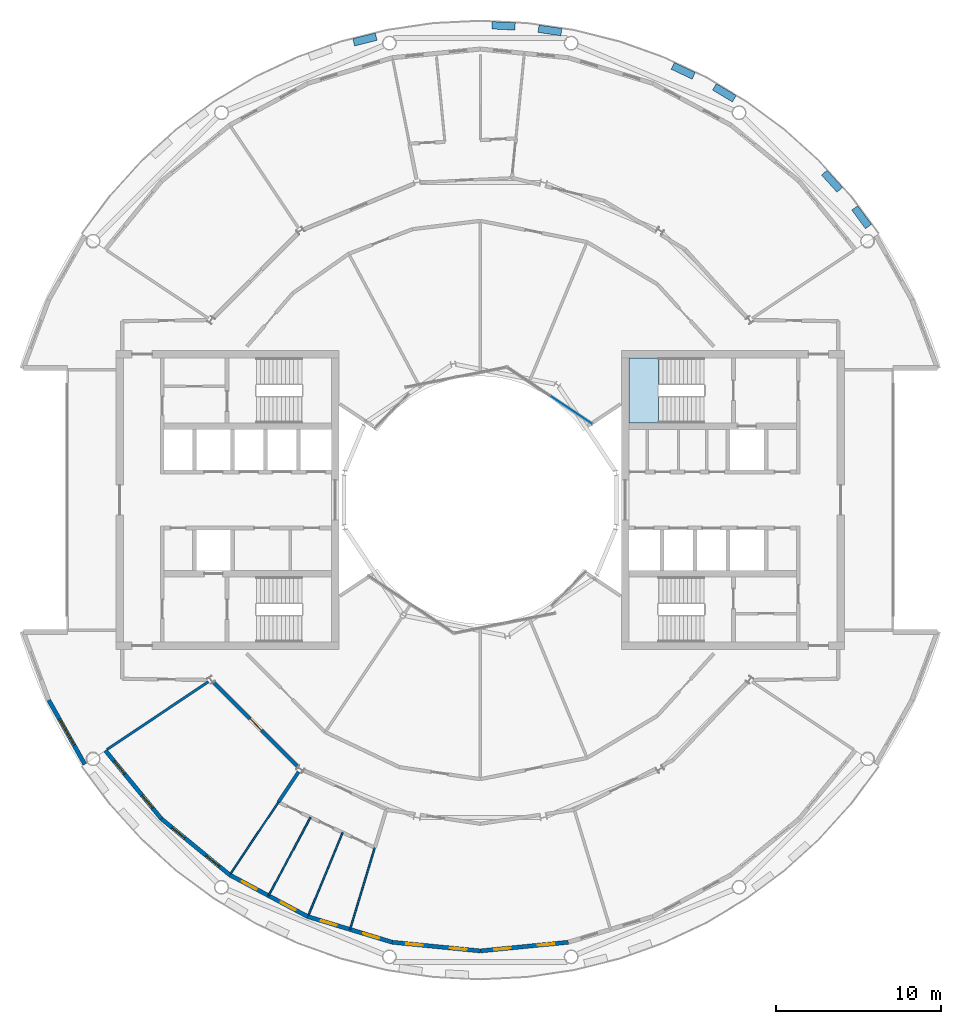
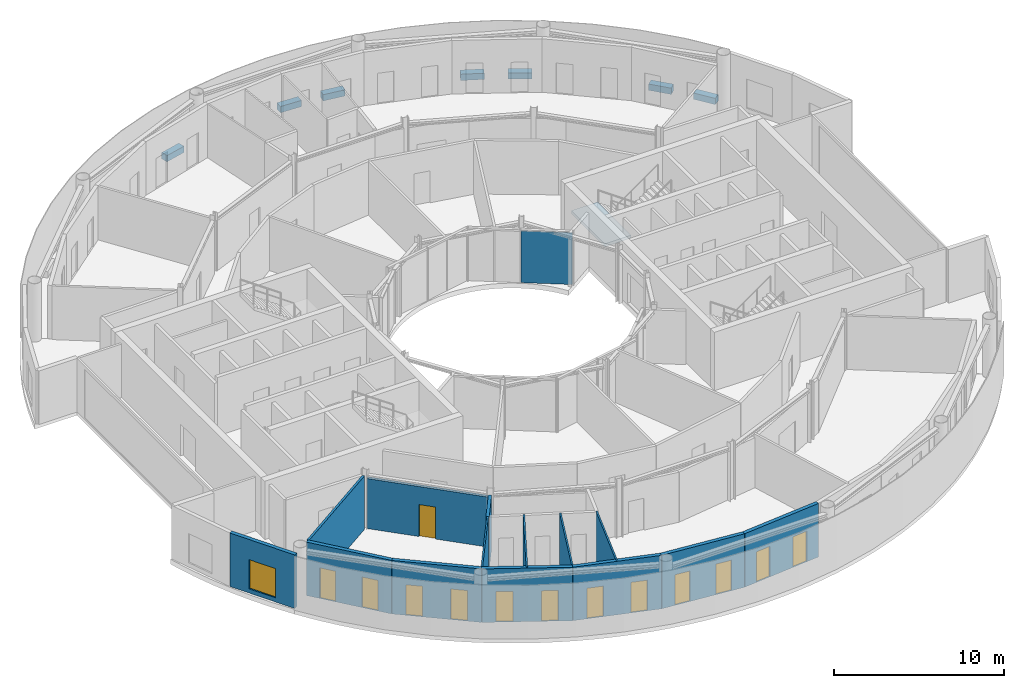
# One storey, part 13 of 22: 14 walls, 13 doors, 8 slabs, 1 plate, 1 window, 14 openings, 2 elements without a shape of their own.
"""IFC4 building model written with IfcOpenShell, lengths in metres."""

from ifc_helpers import new_model, si_unit, direction, frame, frame_2d, origin, origin_2d, place, context, subcontext, project, spatial, polyline, rectangle, outline, extrude, material, layer, layer_set, type_object, element, fill, aggregate, save


model = new_model("IFC4")

# Units and contexts
model_context = context("Model", 3, precision=1e-05, world=origin(), true_north=direction((0.0, 1.0)))
body_context = subcontext(model_context, "Body", "Model", "MODEL_VIEW")
ifc_project = project(units=[si_unit("LENGTHUNIT", "METRE"), si_unit("AREAUNIT", "SQUARE_METRE"), si_unit("VOLUMEUNIT", "CUBIC_METRE"), si_unit("PLANEANGLEUNIT", "RADIAN"), si_unit("MASSUNIT", "GRAM", prefix="KILO")], contexts=[model_context])

# Site, building, storey
site_placement = place(None, origin())
site = spatial("IfcSite", under=ifc_project, at=site_placement, CompositionType="ELEMENT")
building_placement = place(site_placement, origin())
building = spatial("IfcBuilding", under=site, at=building_placement, Name="Maasbend Ring Residences", CompositionType="ELEMENT")
storey_placement = place(building_placement, frame((0.0, 0.0, 208.5)))
storey = spatial("IfcBuildingStorey", under=building, at=storey_placement, Name="L60", CompositionType="ELEMENT", Elevation=208.5)

# Stair, slab
ifc_material_1 = material(Name="Concrete C40/50", Category="concrete")
stair_type = type_object("IfcStairType", Name="CORE STAIR 24 RISERS", PredefinedType="HALF_TURN_STAIR", material=ifc_material_1)
stair_placement = place(storey_placement, origin())
stair = element("IfcStair", 1, at=stair_placement, inside=storey, type_object=stair_type, Name="L60 Exit stair ST-E1", PredefinedType="HALF_TURN_STAIR")
ifc_material_2 = material(Name="Concrete C40/50", Category="concrete")
ifc_layer_1 = layer(ifc_material_2, 0.199951171875)
ifc_layer_set_1 = layer_set([ifc_layer_1], Name="Concrete C40/50")
slab_type_1 = type_object("IfcSlabType", Name="CORE STAIR LANDING 200", PredefinedType="LANDING", material=ifc_layer_set_1)
slab_1_placement = place(storey_placement, frame((0.0, 0.0, 1.89990234375)))
slab_1 = element("IfcSlab", 2, at=slab_1_placement, type_object=slab_type_1, Name="ST-E1 landing 1", PredefinedType="LANDING", context=body_context, shape_type="SweptSolid", body=[
    extrude(outline(polyline([(10.800048828125, 8.60009765625), (9.0, 8.60009765625), (9.0, 4.64990234375), (10.800048828125, 4.64990234375), (10.800048828125, 8.60009765625)])), origin(), (0.0, 0.0, 1.0), 0.2001953125),
])
aggregate(stair, [slab_1])

# Curtain wall, plate
ifc_material_3 = material(Name="Aluminium and clear glass", Category="aluminium")
ifc_layer_2 = layer(ifc_material_3, 0.179931640625)
ifc_layer_set_2 = layer_set([ifc_layer_2], Name="CW-W")
curtain_wall_type = type_object("IfcCurtainWallType", Name="CW-W", PredefinedType="NOTDEFINED", material=ifc_layer_set_2)
curtain_wall_placement = place(storey_placement, origin())
curtain_wall = element("IfcCurtainWall", 3, at=curtain_wall_placement, inside=storey, type_object=curtain_wall_type, Name="Well curtain wall N1", PredefinedType="NOTDEFINED")
ifc_material_4 = material(Name="Glass clear laminated", Category="glass")
ifc_layer_3 = layer(ifc_material_4, 0.031982421875)
ifc_layer_set_3 = layer_set([ifc_layer_3], Name="CWP-W")
plate_type = type_object("IfcPlateType", Name="CWP-W", PredefinedType="CURTAIN_PANEL", material=ifc_layer_set_3)
plate_placement = place(storey_placement, frame((5.51123046875, 5.44580078125, 0.0), z_axis=(0.0, 0.0, 1.0), x_axis=(-0.831469612303, 0.55557023302, 0.0)))
plate = element("IfcPlate", 4, at=plate_placement, type_object=plate_type, Name="Glass panel well face", PredefinedType="CURTAIN_PANEL", context=body_context, shape_type="SweptSolid", body=[
    extrude(rectangle(XDim=3.053955078125, YDim=0.031982421875, at=origin_2d()), origin(), (0.0, 0.0, 1.0), 3.72998046875),
])
aggregate(curtain_wall, [plate])

# Slabs
ifc_material_5 = material(Name="Planting with climbing greenery")
ifc_layer_4 = layer(ifc_material_5, 0.449951171875)
ifc_layer_set_4 = layer_set([ifc_layer_4], Name="PLANTER-LG")
slab_type_2 = type_object("IfcSlabType", Name="PLANTER-LG", PredefinedType="USERDEFINED", material=ifc_layer_set_4)
slab_2_placement = place(storey_placement, frame((0.0, 0.0, -0.030029296875)))
element("IfcSlab", 5, at=slab_2_placement, inside=storey, type_object=slab_type_2, Name="Planter with climbing greenery 1", ObjectType="PLANTER", PredefinedType="USERDEFINED", context=body_context, shape_type="SweptSolid", body=[
    extrude(outline(polyline([(23.681884765625, 16.69189453125), (22.847900390625, 17.81689453125), (22.487060546875, 17.549072265625), (23.321044921875, 16.424072265625), (23.681884765625, 16.69189453125)])), origin(), (0.0, 0.0, 1.0), 0.449951171875),
])
slab_3_placement = place(storey_placement, frame((0.0, 0.0, -0.030029296875)))
element("IfcSlab", 6, at=slab_3_placement, inside=storey, type_object=slab_type_2, Name="Planter with climbing greenery 2", ObjectType="PLANTER", PredefinedType="USERDEFINED", context=body_context, shape_type="SweptSolid", body=[
    extrude(outline(polyline([(21.931884765625, 18.93310546875), (20.991943359375, 19.969970703125), (20.657958984375, 19.66796875), (21.597900390625, 18.631103515625), (21.931884765625, 18.93310546875)])), origin(), (0.0, 0.0, 1.0), 0.449951171875),
])
slab_4_placement = place(storey_placement, frame((0.0, 0.0, -0.030029296875)))
element("IfcSlab", 7, at=slab_4_placement, inside=storey, type_object=slab_type_2, Name="Planter with climbing greenery 3", ObjectType="PLANTER", PredefinedType="USERDEFINED", context=body_context, shape_type="SweptSolid", body=[
    extrude(outline(polyline([(15.490966796875, 24.48388671875), (14.291015625, 25.2041015625), (14.05908203125, 24.818115234375), (15.260009765625, 24.097900390625), (15.490966796875, 24.48388671875)])), origin(), (0.0, 0.0, 1.0), 0.449951171875),
])
slab_5_placement = place(storey_placement, frame((0.0, 0.0, -0.030029296875)))
element("IfcSlab", 8, at=slab_5_placement, inside=storey, type_object=slab_type_2, Name="Planter with climbing greenery 4", ObjectType="PLANTER", PredefinedType="USERDEFINED", context=body_context, shape_type="SweptSolid", body=[
    extrude(outline(polyline([(13.01708984375, 25.885009765625), (11.7509765625, 26.48291015625), (11.55908203125, 26.076904296875), (12.824951171875, 25.47802734375), (13.01708984375, 25.885009765625)])), origin(), (0.0, 0.0, 1.0), 0.449951171875),
])
slab_6_placement = place(storey_placement, frame((0.0, 0.0, -0.030029296875)))
element("IfcSlab", 9, at=slab_6_placement, inside=storey, type_object=slab_type_2, Name="Planter with climbing greenery 5", ObjectType="PLANTER", PredefinedType="USERDEFINED", context=body_context, shape_type="SweptSolid", body=[
    extrude(outline(polyline([(4.94189453125, 28.549072265625), (3.55810546875, 28.75390625), (3.491943359375, 28.30908203125), (4.8759765625, 28.10400390625), (4.94189453125, 28.549072265625)])), origin(), (0.0, 0.0, 1.0), 0.449951171875),
])
slab_7_placement = place(storey_placement, frame((0.0, 0.0, -0.030029296875)))
element("IfcSlab", 10, at=slab_7_placement, inside=storey, type_object=slab_type_2, Name="Planter with climbing greenery 6", ObjectType="PLANTER", PredefinedType="USERDEFINED", context=body_context, shape_type="SweptSolid", body=[
    extrude(outline(polyline([(2.1201171875, 28.89599609375), (0.721923828125, 28.965087890625), (0.699951171875, 28.514892578125), (2.097900390625, 28.446044921875), (2.1201171875, 28.89599609375)])), origin(), (0.0, 0.0, 1.0), 0.449951171875),
])
slab_8_placement = place(storey_placement, frame((0.0, 0.0, -0.030029296875)))
element("IfcSlab", 11, at=slab_8_placement, inside=storey, type_object=slab_type_2, Name="Planter with climbing greenery 7", ObjectType="PLANTER", PredefinedType="USERDEFINED", context=body_context, shape_type="SweptSolid", body=[
    extrude(outline(polyline([(-6.35888671875, 28.26708984375), (-7.717041015625, 27.927001953125), (-7.60791015625, 27.489990234375), (-6.25, 27.8310546875), (-6.35888671875, 28.26708984375)])), origin(), (0.0, 0.0, 1.0), 0.449951171875),
])

# Wall, opening, door
ifc_material_6 = material(Name="Concrete C30/37", Category="concrete")
ifc_layer_5 = layer(ifc_material_6, 0.199951171875)
ifc_layer_set_5 = layer_set([ifc_layer_5], Name="Concrete C30/37")
wall_type_1 = type_object("IfcWallType", Name="CORRIDOR WALL 200 CONCRETE", PredefinedType="PARTITIONING", material=ifc_layer_set_5)
wall_1_placement = place(storey_placement, frame((-16.18896484375, -10.9970703125, 0.0), z_axis=(0.0, 0.0, 1.0), x_axis=(0.707106781187, -0.707106781187, 0.0)))
wall_1 = element("IfcWall", 12, at=wall_1_placement, inside=storey, type_object=wall_type_1, Name="U-L60-w012", PredefinedType="PARTITIONING", context=body_context, shape_type="SweptSolid", body=[
    extrude(rectangle(XDim=7.342529296875, YDim=0.199951171875, at=frame_2d((3.67138671875, 0.0))), origin(), (0.0, 0.0, 1.0), 3.60009765625),
])
opening_1_placement = place(wall_1_placement, frame((3.1708984375, 0.0, 0.0)))
opening_1 = element("IfcOpeningElement", 13, at=opening_1_placement, cuts=wall_1, Name="Opening D-6016", PredefinedType="OPENING", context=body_context, shape_type="SweptSolid", body=[
    extrude(rectangle(XDim=1.0, YDim=2.300048828125, at=frame_2d((0.5, 1.14990234375))), frame((0.0, 0.10986328125, 0.0), z_axis=(0.0, -1.0, 0.0), x_axis=(1.0, 0.0, 0.0)), (0.0, 0.0, 1.0), 0.219970703125),
])
ifc_material_7 = material(Name="Timber, painted", Category="wood")
door_type_1 = type_object("IfcDoorType", Name="ROOM DOOR 1000 X 2300", OperationType="NOTDEFINED", PredefinedType="DOOR", material=ifc_material_7)
door_1_placement = place(opening_1_placement, origin())
door_1 = element("IfcDoor", 14, at=door_1_placement, inside=storey, type_object=door_type_1, Name="D-6016", OperationType="SINGLE_SWING_RIGHT", OverallHeight=2.300048828125, OverallWidth=1.0, PredefinedType="DOOR", context=body_context, shape_type="SweptSolid", body=[
    extrude(rectangle(XDim=1.0, YDim=2.300048828125, at=frame_2d((0.5, 1.14990234375))), frame((0.0, 0.02490234375, 0.0), z_axis=(0.0, -1.0, 0.0), x_axis=(1.0, 0.0, 0.0)), (0.0, 0.0, 1.0), 0.050048828125),
])
fill(opening_1, door_1)

# Wall
wall_2_placement = place(storey_placement, frame((-12.221923828125, -18.2919921875, 0.0), z_axis=(0.0, 0.0, 1.0), x_axis=(0.555493933307, 0.831520589077, 0.0)))
element("IfcWall", 15, at=wall_2_placement, inside=storey, type_object=wall_type_1, Name="U-L60-w028", PredefinedType="PARTITIONING", context=body_context, shape_type="SweptSolid", body=[
    extrude(rectangle(XDim=2.19970703125, YDim=0.199951171875, at=frame_2d((1.099853515625, 0.0))), origin(), (0.0, 0.0, 1.0), 3.85009765625),
])

# Wall, openings, doors
ifc_material_8 = material(Name="Aluminium clad insulated panel", Category="aluminium")
ifc_layer_6 = layer(ifc_material_8, 0.25)
ifc_layer_set_6 = layer_set([ifc_layer_6], Name="EW-GL")
wall_type_2 = type_object("IfcWallType", Name="EW-GL", PredefinedType="SOLIDWALL", material=ifc_layer_set_6)
wall_3_placement = place(storey_placement, frame((-22.698974609375, -15.1669921875, 0.0), z_axis=(0.0, 0.0, 1.0), x_axis=(0.634382322723, -0.773019449054, 0.0)))
wall_3 = element("IfcWall", 16, at=wall_3_placement, inside=storey, type_object=wall_type_2, Name="External wall S01", PredefinedType="SOLIDWALL", context=body_context, shape_type="SweptSolid", body=[
    extrude(rectangle(XDim=5.351806640625, YDim=0.25, at=frame_2d((2.67578125, 0.0))), origin(), (0.0, 0.0, 1.0), 3.85009765625),
])
opening_2_placement = place(wall_3_placement, frame((0.841064453125, 0.0, 0.0)))
opening_2 = element("IfcOpeningElement", 17, at=opening_2_placement, cuts=wall_3, Name="Opening D-LG", PredefinedType="OPENING", context=body_context, shape_type="SweptSolid", body=[
    extrude(rectangle(XDim=1.0, YDim=2.199951171875, at=frame_2d((0.5, 1.10009765625))), frame((0.0, 0.135009765625, 0.0), z_axis=(0.0, -1.0, 0.0), x_axis=(1.0, 0.0, 0.0)), (0.0, 0.0, 1.0), 0.27001953125),
])
opening_3_placement = place(wall_3_placement, frame((3.510498046875, 0.0, 0.0)))
opening_3 = element("IfcOpeningElement", 18, at=opening_3_placement, cuts=wall_3, Name="Opening D-LG", PredefinedType="OPENING", context=body_context, shape_type="SweptSolid", body=[
    extrude(rectangle(XDim=1.0, YDim=2.199951171875, at=frame_2d((0.5, 1.10009765625))), frame((0.0, 0.135009765625, 0.0), z_axis=(0.0, -1.0, 0.0), x_axis=(1.0, 0.0, 0.0)), (0.0, 0.0, 1.0), 0.27001953125),
])
ifc_material_9 = material(Name="Aluminium and clear glass", Category="aluminium")
door_type_2 = type_object("IfcDoorType", Name="D-LG", OperationType="SINGLE_SWING_LEFT", PredefinedType="DOOR", material=ifc_material_9)
door_2_placement = place(opening_2_placement, origin())
door_2 = element("IfcDoor", 19, at=door_2_placement, inside=storey, type_object=door_type_2, Name="Loggia door S01", OperationType="SINGLE_SWING_LEFT", OverallHeight=2.199951171875, OverallWidth=1.0, PredefinedType="DOOR", context=body_context, shape_type="SweptSolid", body=[
    extrude(rectangle(XDim=1.0, YDim=2.199951171875, at=frame_2d((0.5, 1.10009765625))), frame((0.0, 0.02490234375, 0.0), z_axis=(0.0, -1.0, 0.0), x_axis=(1.0, 0.0, 0.0)), (0.0, 0.0, 1.0), 0.050048828125),
])
fill(opening_2, door_2)
door_3_placement = place(opening_3_placement, origin())
door_3 = element("IfcDoor", 20, at=door_3_placement, inside=storey, type_object=door_type_2, Name="Loggia door S02", OperationType="SINGLE_SWING_LEFT", OverallHeight=2.199951171875, OverallWidth=1.0, PredefinedType="DOOR", context=body_context, shape_type="SweptSolid", body=[
    extrude(rectangle(XDim=1.0, YDim=2.199951171875, at=frame_2d((0.5, 1.10009765625))), frame((0.0, 0.02490234375, 0.0), z_axis=(0.0, -1.0, 0.0), x_axis=(1.0, 0.0, 0.0)), (0.0, 0.0, 1.0), 0.050048828125),
])
fill(opening_3, door_3)

wall_4_placement = place(storey_placement, frame((-19.303955078125, -19.303955078125, 0.0), z_axis=(0.0, 0.0, 1.0), x_axis=(0.773019449054, -0.634382322723, 0.0)))
wall_4 = element("IfcWall", 21, at=wall_4_placement, inside=storey, type_object=wall_type_2, Name="External wall S02", PredefinedType="SOLIDWALL", context=body_context, shape_type="SweptSolid", body=[
    extrude(rectangle(XDim=5.351806640625, YDim=0.25, at=frame_2d((2.67578125, 0.0))), origin(), (0.0, 0.0, 1.0), 3.85009765625),
])
opening_4_placement = place(wall_4_placement, frame((0.841064453125, 0.0, 0.0)))
opening_4 = element("IfcOpeningElement", 22, at=opening_4_placement, cuts=wall_4, Name="Opening D-LG", PredefinedType="OPENING", context=body_context, shape_type="SweptSolid", body=[
    extrude(rectangle(XDim=1.0, YDim=2.199951171875, at=frame_2d((0.5, 1.10009765625))), frame((0.0, 0.135009765625, 0.0), z_axis=(0.0, -1.0, 0.0), x_axis=(1.0, 0.0, 0.0)), (0.0, 0.0, 1.0), 0.27001953125),
])
opening_5_placement = place(wall_4_placement, frame((3.510498046875, 0.0, 0.0)))
opening_5 = element("IfcOpeningElement", 23, at=opening_5_placement, cuts=wall_4, Name="Opening D-LG", PredefinedType="OPENING", context=body_context, shape_type="SweptSolid", body=[
    extrude(rectangle(XDim=1.0, YDim=2.199951171875, at=frame_2d((0.5, 1.10009765625))), frame((0.0, 0.135009765625, 0.0), z_axis=(0.0, -1.0, 0.0), x_axis=(1.0, 0.0, 0.0)), (0.0, 0.0, 1.0), 0.27001953125),
])
door_4_placement = place(opening_4_placement, origin())
door_4 = element("IfcDoor", 24, at=door_4_placement, inside=storey, type_object=door_type_2, Name="Loggia door S03", OperationType="SINGLE_SWING_LEFT", OverallHeight=2.199951171875, OverallWidth=1.0, PredefinedType="DOOR", context=body_context, shape_type="SweptSolid", body=[
    extrude(rectangle(XDim=1.0, YDim=2.199951171875, at=frame_2d((0.5, 1.10009765625))), frame((0.0, 0.02490234375, 0.0), z_axis=(0.0, -1.0, 0.0), x_axis=(1.0, 0.0, 0.0)), (0.0, 0.0, 1.0), 0.050048828125),
])
fill(opening_4, door_4)
door_5_placement = place(opening_5_placement, origin())
door_5 = element("IfcDoor", 25, at=door_5_placement, inside=storey, type_object=door_type_2, Name="Loggia door S04", OperationType="SINGLE_SWING_LEFT", OverallHeight=2.199951171875, OverallWidth=1.0, PredefinedType="DOOR", context=body_context, shape_type="SweptSolid", body=[
    extrude(rectangle(XDim=1.0, YDim=2.199951171875, at=frame_2d((0.5, 1.10009765625))), frame((0.0, 0.02490234375, 0.0), z_axis=(0.0, -1.0, 0.0), x_axis=(1.0, 0.0, 0.0)), (0.0, 0.0, 1.0), 0.050048828125),
])
fill(opening_5, door_5)

wall_5_placement = place(storey_placement, frame((-15.1669921875, -22.698974609375, 0.0), z_axis=(0.0, 0.0, 1.0), x_axis=(0.881915646801, -0.471407246368, 0.0)))
wall_5 = element("IfcWall", 26, at=wall_5_placement, inside=storey, type_object=wall_type_2, Name="External wall S03", PredefinedType="SOLIDWALL", context=body_context, shape_type="SweptSolid", body=[
    extrude(rectangle(XDim=5.35205078125, YDim=0.25, at=frame_2d((2.676025390625, 0.0))), origin(), (0.0, 0.0, 1.0), 3.85009765625),
])
opening_6_placement = place(wall_5_placement, frame((0.841064453125, 0.0, 0.0)))
opening_6 = element("IfcOpeningElement", 27, at=opening_6_placement, cuts=wall_5, Name="Opening D-LG", PredefinedType="OPENING", context=body_context, shape_type="SweptSolid", body=[
    extrude(rectangle(XDim=1.0, YDim=2.199951171875, at=frame_2d((0.5, 1.10009765625))), frame((0.0, 0.135009765625, 0.0), z_axis=(0.0, -1.0, 0.0), x_axis=(1.0, 0.0, 0.0)), (0.0, 0.0, 1.0), 0.27001953125),
])
opening_7_placement = place(wall_5_placement, frame((3.510498046875, 0.0, 0.0)))
opening_7 = element("IfcOpeningElement", 28, at=opening_7_placement, cuts=wall_5, Name="Opening D-LG", PredefinedType="OPENING", context=body_context, shape_type="SweptSolid", body=[
    extrude(rectangle(XDim=1.0, YDim=2.199951171875, at=frame_2d((0.5, 1.10009765625))), frame((0.0, 0.135009765625, 0.0), z_axis=(0.0, -1.0, 0.0), x_axis=(1.0, 0.0, 0.0)), (0.0, 0.0, 1.0), 0.27001953125),
])
door_6_placement = place(opening_6_placement, origin())
door_6 = element("IfcDoor", 29, at=door_6_placement, inside=storey, type_object=door_type_2, Name="Loggia door S05", OperationType="SINGLE_SWING_LEFT", OverallHeight=2.199951171875, OverallWidth=1.0, PredefinedType="DOOR", context=body_context, shape_type="SweptSolid", body=[
    extrude(rectangle(XDim=1.0, YDim=2.199951171875, at=frame_2d((0.5, 1.10009765625))), frame((0.0, 0.02490234375, 0.0), z_axis=(0.0, -1.0, 0.0), x_axis=(1.0, 0.0, 0.0)), (0.0, 0.0, 1.0), 0.050048828125),
])
fill(opening_6, door_6)
door_7_placement = place(opening_7_placement, origin())
door_7 = element("IfcDoor", 30, at=door_7_placement, inside=storey, type_object=door_type_2, Name="Loggia door S06", OperationType="SINGLE_SWING_LEFT", OverallHeight=2.199951171875, OverallWidth=1.0, PredefinedType="DOOR", context=body_context, shape_type="SweptSolid", body=[
    extrude(rectangle(XDim=1.0, YDim=2.199951171875, at=frame_2d((0.5, 1.10009765625))), frame((0.0, 0.02490234375, 0.0), z_axis=(0.0, -1.0, 0.0), x_axis=(1.0, 0.0, 0.0)), (0.0, 0.0, 1.0), 0.050048828125),
])
fill(opening_7, door_7)

wall_6_placement = place(storey_placement, frame((-10.447021484375, -25.221923828125, 0.0), z_axis=(0.0, 0.0, 1.0), x_axis=(0.956965678721, -0.290201119486, 0.0)))
wall_6 = element("IfcWall", 31, at=wall_6_placement, inside=storey, type_object=wall_type_2, Name="External wall S04", PredefinedType="SOLIDWALL", context=body_context, shape_type="SweptSolid", body=[
    extrude(rectangle(XDim=5.351318359375, YDim=0.25, at=frame_2d((2.67578125, 0.0))), origin(), (0.0, 0.0, 1.0), 3.85009765625),
])
opening_8_placement = place(wall_6_placement, frame((0.841064453125, 0.0, 0.0)))
opening_8 = element("IfcOpeningElement", 32, at=opening_8_placement, cuts=wall_6, Name="Opening D-LG", PredefinedType="OPENING", context=body_context, shape_type="SweptSolid", body=[
    extrude(rectangle(XDim=1.0, YDim=2.199951171875, at=frame_2d((0.5, 1.10009765625))), frame((0.0, 0.135009765625, 0.0), z_axis=(0.0, -1.0, 0.0), x_axis=(1.0, 0.0, 0.0)), (0.0, 0.0, 1.0), 0.27001953125),
])
opening_9_placement = place(wall_6_placement, frame((3.510498046875, 0.0, 0.0)))
opening_9 = element("IfcOpeningElement", 33, at=opening_9_placement, cuts=wall_6, Name="Opening D-LG", PredefinedType="OPENING", context=body_context, shape_type="SweptSolid", body=[
    extrude(rectangle(XDim=1.0, YDim=2.199951171875, at=frame_2d((0.5, 1.10009765625))), frame((0.0, 0.135009765625, 0.0), z_axis=(0.0, -1.0, 0.0), x_axis=(1.0, 0.0, 0.0)), (0.0, 0.0, 1.0), 0.27001953125),
])
door_8_placement = place(opening_8_placement, origin())
door_8 = element("IfcDoor", 34, at=door_8_placement, inside=storey, type_object=door_type_2, Name="Loggia door S07", OperationType="SINGLE_SWING_LEFT", OverallHeight=2.199951171875, OverallWidth=1.0, PredefinedType="DOOR", context=body_context, shape_type="SweptSolid", body=[
    extrude(rectangle(XDim=1.0, YDim=2.199951171875, at=frame_2d((0.5, 1.10009765625))), frame((0.0, 0.02490234375, 0.0), z_axis=(0.0, -1.0, 0.0), x_axis=(1.0, 0.0, 0.0)), (0.0, 0.0, 1.0), 0.050048828125),
])
fill(opening_8, door_8)
door_9_placement = place(opening_9_placement, origin())
door_9 = element("IfcDoor", 35, at=door_9_placement, inside=storey, type_object=door_type_2, Name="Loggia door S08", OperationType="SINGLE_SWING_LEFT", OverallHeight=2.199951171875, OverallWidth=1.0, PredefinedType="DOOR", context=body_context, shape_type="SweptSolid", body=[
    extrude(rectangle(XDim=1.0, YDim=2.199951171875, at=frame_2d((0.5, 1.10009765625))), frame((0.0, 0.02490234375, 0.0), z_axis=(0.0, -1.0, 0.0), x_axis=(1.0, 0.0, 0.0)), (0.0, 0.0, 1.0), 0.050048828125),
])
fill(opening_9, door_9)

wall_7_placement = place(storey_placement, frame((-5.325927734375, -26.77490234375, 0.0), z_axis=(0.0, 0.0, 1.0), x_axis=(0.995173996315, -0.098126026407, 0.0)))
wall_7 = element("IfcWall", 36, at=wall_7_placement, inside=storey, type_object=wall_type_2, Name="External wall S05", PredefinedType="SOLIDWALL", context=body_context, shape_type="SweptSolid", body=[
    extrude(rectangle(XDim=5.351806640625, YDim=0.25, at=frame_2d((2.67578125, 0.0))), origin(), (0.0, 0.0, 1.0), 3.85009765625),
])
opening_10_placement = place(wall_7_placement, frame((0.841064453125, 0.0, 0.0)))
opening_10 = element("IfcOpeningElement", 37, at=opening_10_placement, cuts=wall_7, Name="Opening D-LG", PredefinedType="OPENING", context=body_context, shape_type="SweptSolid", body=[
    extrude(rectangle(XDim=1.0, YDim=2.199951171875, at=frame_2d((0.5, 1.10009765625))), frame((0.0, 0.135009765625, 0.0), z_axis=(0.0, -1.0, 0.0), x_axis=(1.0, 0.0, 0.0)), (0.0, 0.0, 1.0), 0.27001953125),
])
opening_11_placement = place(wall_7_placement, frame((3.510498046875, 0.0, 0.0)))
opening_11 = element("IfcOpeningElement", 38, at=opening_11_placement, cuts=wall_7, Name="Opening D-LG", PredefinedType="OPENING", context=body_context, shape_type="SweptSolid", body=[
    extrude(rectangle(XDim=1.0, YDim=2.199951171875, at=frame_2d((0.5, 1.10009765625))), frame((0.0, 0.135009765625, 0.0), z_axis=(0.0, -1.0, 0.0), x_axis=(1.0, 0.0, 0.0)), (0.0, 0.0, 1.0), 0.27001953125),
])
door_10_placement = place(opening_10_placement, origin())
door_10 = element("IfcDoor", 39, at=door_10_placement, inside=storey, type_object=door_type_2, Name="Loggia door S09", OperationType="SINGLE_SWING_LEFT", OverallHeight=2.199951171875, OverallWidth=1.0, PredefinedType="DOOR", context=body_context, shape_type="SweptSolid", body=[
    extrude(rectangle(XDim=1.0, YDim=2.199951171875, at=frame_2d((0.5, 1.10009765625))), frame((0.0, 0.02490234375, 0.0), z_axis=(0.0, -1.0, 0.0), x_axis=(1.0, 0.0, 0.0)), (0.0, 0.0, 1.0), 0.050048828125),
])
fill(opening_10, door_10)
door_11_placement = place(opening_11_placement, origin())
door_11 = element("IfcDoor", 40, at=door_11_placement, inside=storey, type_object=door_type_2, Name="Loggia door S10", OperationType="SINGLE_SWING_LEFT", OverallHeight=2.199951171875, OverallWidth=1.0, PredefinedType="DOOR", context=body_context, shape_type="SweptSolid", body=[
    extrude(rectangle(XDim=1.0, YDim=2.199951171875, at=frame_2d((0.5, 1.10009765625))), frame((0.0, 0.02490234375, 0.0), z_axis=(0.0, -1.0, 0.0), x_axis=(1.0, 0.0, 0.0)), (0.0, 0.0, 1.0), 0.050048828125),
])
fill(opening_11, door_11)

wall_8_placement = place(storey_placement, frame((0.0, -27.300048828125, 0.0), z_axis=(0.0, 0.0, 1.0), x_axis=(0.995173996315, 0.098126026407, 0.0)))
wall_8 = element("IfcWall", 41, at=wall_8_placement, inside=storey, type_object=wall_type_2, Name="External wall S06", PredefinedType="SOLIDWALL", context=body_context, shape_type="SweptSolid", body=[
    extrude(rectangle(XDim=5.351806640625, YDim=0.25, at=frame_2d((2.67578125, 0.0))), origin(), (0.0, 0.0, 1.0), 3.85009765625),
])
opening_12_placement = place(wall_8_placement, frame((0.841064453125, 0.0, 0.0)))
opening_12 = element("IfcOpeningElement", 42, at=opening_12_placement, cuts=wall_8, Name="Opening D-LG", PredefinedType="OPENING", context=body_context, shape_type="SweptSolid", body=[
    extrude(rectangle(XDim=1.0, YDim=2.199951171875, at=frame_2d((0.5, 1.10009765625))), frame((0.0, 0.135009765625, 0.0), z_axis=(0.0, -1.0, 0.0), x_axis=(1.0, 0.0, 0.0)), (0.0, 0.0, 1.0), 0.27001953125),
])
opening_13_placement = place(wall_8_placement, frame((3.510498046875, 0.0, 0.0)))
opening_13 = element("IfcOpeningElement", 43, at=opening_13_placement, cuts=wall_8, Name="Opening D-LG", PredefinedType="OPENING", context=body_context, shape_type="SweptSolid", body=[
    extrude(rectangle(XDim=1.0, YDim=2.199951171875, at=frame_2d((0.5, 1.10009765625))), frame((0.0, 0.135009765625, 0.0), z_axis=(0.0, -1.0, 0.0), x_axis=(1.0, 0.0, 0.0)), (0.0, 0.0, 1.0), 0.27001953125),
])
door_12_placement = place(opening_12_placement, origin())
door_12 = element("IfcDoor", 44, at=door_12_placement, inside=storey, type_object=door_type_2, Name="Loggia door S11", OperationType="SINGLE_SWING_LEFT", OverallHeight=2.199951171875, OverallWidth=1.0, PredefinedType="DOOR", context=body_context, shape_type="SweptSolid", body=[
    extrude(rectangle(XDim=1.0, YDim=2.199951171875, at=frame_2d((0.5, 1.10009765625))), frame((0.0, 0.02490234375, 0.0), z_axis=(0.0, -1.0, 0.0), x_axis=(1.0, 0.0, 0.0)), (0.0, 0.0, 1.0), 0.050048828125),
])
fill(opening_12, door_12)
door_13_placement = place(opening_13_placement, origin())
door_13 = element("IfcDoor", 45, at=door_13_placement, inside=storey, type_object=door_type_2, Name="Loggia door S12", OperationType="SINGLE_SWING_LEFT", OverallHeight=2.199951171875, OverallWidth=1.0, PredefinedType="DOOR", context=body_context, shape_type="SweptSolid", body=[
    extrude(rectangle(XDim=1.0, YDim=2.199951171875, at=frame_2d((0.5, 1.10009765625))), frame((0.0, 0.02490234375, 0.0), z_axis=(0.0, -1.0, 0.0), x_axis=(1.0, 0.0, 0.0)), (0.0, 0.0, 1.0), 0.050048828125),
])
fill(opening_13, door_13)

# Wall, opening, window
ifc_material_10 = material(Name="Aluminium clad insulated panel", Category="aluminium")
ifc_layer_7 = layer(ifc_material_10, 0.25)
ifc_layer_set_7 = layer_set([ifc_layer_7], Name="EW-HORN")
wall_type_3 = type_object("IfcWallType", Name="EW-HORN", PredefinedType="SOLIDWALL", material=ifc_layer_set_7)
wall_9_placement = place(storey_placement, frame((-26.126953125, -12.116943359375, 0.0), z_axis=(0.0, 0.0, 1.0), x_axis=(0.489696356642, -0.871893042919, 0.0)))
wall_9 = element("IfcWall", 46, at=wall_9_placement, inside=storey, type_object=wall_type_3, Name="Horn wall 3.2", PredefinedType="SOLIDWALL", context=body_context, shape_type="SweptSolid", body=[
    extrude(rectangle(XDim=4.45361328125, YDim=0.25, at=frame_2d((2.226806640625, 0.0))), origin(), (0.0, 0.0, 1.0), 3.85009765625),
])
opening_14_placement = place(wall_9_placement, frame((1.32666015625, 0.0, 0.300048828125)))
opening_14 = element("IfcOpeningElement", 47, at=opening_14_placement, cuts=wall_9, Name="Opening W-BX", PredefinedType="OPENING", context=body_context, shape_type="SweptSolid", body=[
    extrude(rectangle(XDim=1.800048828125, YDim=2.10009765625, at=frame_2d((0.89990234375, 1.050048828125))), frame((0.0, 0.135009765625, 0.0), z_axis=(0.0, -1.0, 0.0), x_axis=(1.0, 0.0, 0.0)), (0.0, 0.0, 1.0), 0.27001953125),
])
ifc_material_11 = material(Name="Aluminium and clear glass", Category="aluminium")
window_type = type_object("IfcWindowType", Name="W-BX", PartitioningType="DOUBLE_PANEL_VERTICAL", PredefinedType="WINDOW", material=ifc_material_11)
window_placement = place(opening_14_placement, origin())
window = element("IfcWindow", 48, at=window_placement, inside=storey, type_object=window_type, Name="Horn window 3.2", OverallHeight=2.10009765625, OverallWidth=1.800048828125, PartitioningType="SINGLE_PANEL", PredefinedType="WINDOW", context=body_context, shape_type="SweptSolid", body=[
    extrude(rectangle(XDim=1.800048828125, YDim=2.10009765625, at=frame_2d((0.89990234375, 1.050048828125))), frame((0.0, 0.030029296875, 0.0), z_axis=(0.0, -1.0, 0.0), x_axis=(1.0, 0.0, 0.0)), (0.0, 0.0, 1.0), 0.06005859375),
])
fill(opening_14, window)

# Walls
ifc_material_12 = material(Name="Gypsum board on steel studs", Category="steel")
ifc_layer_8 = layer(ifc_material_12, 0.10009765625)
ifc_layer_set_8 = layer_set([ifc_layer_8], Name="PARTITION 100 GYPSUM")
wall_type_4 = type_object("IfcWallType", Name="PARTITION 100 GYPSUM", PredefinedType="PARTITIONING", material=ifc_layer_set_8)
wall_10_placement = place(storey_placement, frame((-15.097900390625, -22.594970703125, 0.0), z_axis=(0.0, 0.0, 1.0), x_axis=(0.555679526155, 0.831396574573, 0.0)))
element("IfcWall", 49, at=wall_10_placement, inside=storey, type_object=wall_type_4, Name="U-L60-w025", PredefinedType="PARTITIONING", context=body_context, shape_type="SweptSolid", body=[
    extrude(rectangle(XDim=5.175537109375, YDim=0.10009765625, at=frame_2d((2.587890625, 0.0))), origin(), (0.0, 0.0, 1.0), 3.85009765625),
])
wall_11_placement = place(storey_placement, frame((-12.818115234375, -23.9619140625, 0.0), z_axis=(0.0, 0.0, 1.0), x_axis=(0.471698142177, 0.881760093601, 0.0)))
element("IfcWall", 50, at=wall_11_placement, inside=storey, type_object=wall_type_4, Name="U-L60-w027", PredefinedType="PARTITIONING", context=body_context, shape_type="SweptSolid", body=[
    extrude(rectangle(XDim=5.386962890625, YDim=0.10009765625, at=frame_2d((2.693359375, 0.0))), origin(), (0.0, 0.0, 1.0), 3.85009765625),
])
wall_12_placement = place(storey_placement, frame((-10.39111328125, -25.110107421875, 0.0), z_axis=(0.0, 0.0, 1.0), x_axis=(0.38229040446, 0.924042232075, 0.0)))
element("IfcWall", 51, at=wall_12_placement, inside=storey, type_object=wall_type_4, Name="U-L60-w029", PredefinedType="PARTITIONING", context=body_context, shape_type="SweptSolid", body=[
    extrude(rectangle(XDim=5.38623046875, YDim=0.10009765625, at=frame_2d((2.693115234375, 0.0))), origin(), (0.0, 0.0, 1.0), 3.85009765625),
])
wall_13_placement = place(storey_placement, frame((-7.886962890625, -26.0048828125, 0.0), z_axis=(0.0, 0.0, 1.0), x_axis=(0.290078108742, 0.95700297326, 0.0)))
element("IfcWall", 52, at=wall_13_placement, inside=storey, type_object=wall_type_4, Name="U-L60-w044", PredefinedType="PARTITIONING", context=body_context, shape_type="SweptSolid", body=[
    extrude(rectangle(XDim=5.17431640625, YDim=0.10009765625, at=frame_2d((2.587158203125, 0.0))), origin(), (0.0, 0.0, 1.0), 3.85009765625),
])
ifc_material_13 = material(Name="Gypsum board on steel studs", Category="steel")
ifc_layer_9 = layer(ifc_material_13, 0.14990234375)
ifc_layer_set_9 = layer_set([ifc_layer_9], Name="PARTITION 150 GYPSUM")
wall_type_5 = type_object("IfcWallType", Name="PARTITION 150 GYPSUM", PredefinedType="PARTITIONING", material=ifc_layer_set_9)
wall_14_placement = place(storey_placement, frame((-22.593017578125, -15.10107421875, 0.0), z_axis=(0.0, 0.0, 1.0), x_axis=(0.831418274402, 0.555647057933, 0.0)))
element("IfcWall", 53, at=wall_14_placement, inside=storey, type_object=wall_type_5, Name="U-L60-w024", PredefinedType="PARTITIONING", context=body_context, shape_type="SweptSolid", body=[
    extrude(rectangle(XDim=7.37548828125, YDim=0.14990234375, at=frame_2d((3.687744140625, 0.0))), origin(), (0.0, 0.0, 1.0), 3.85009765625),
])

save(model, "model.ifc")
